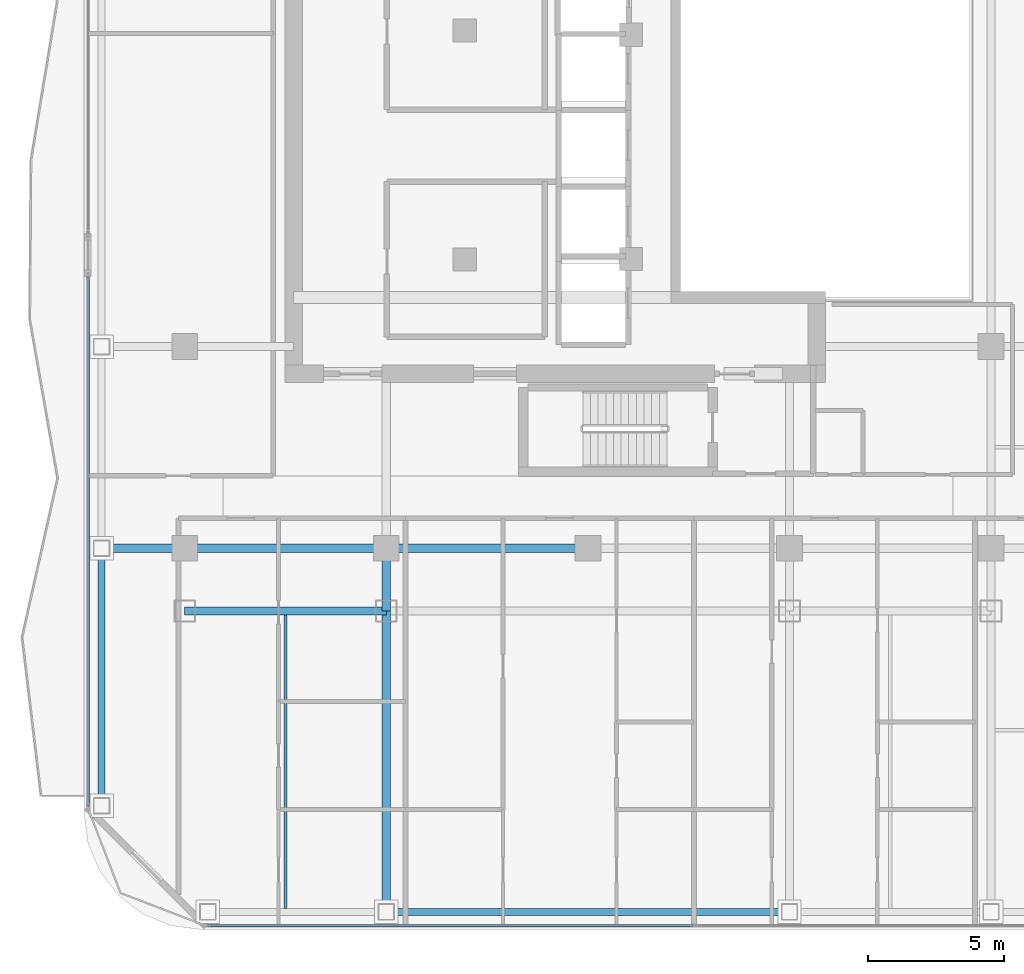
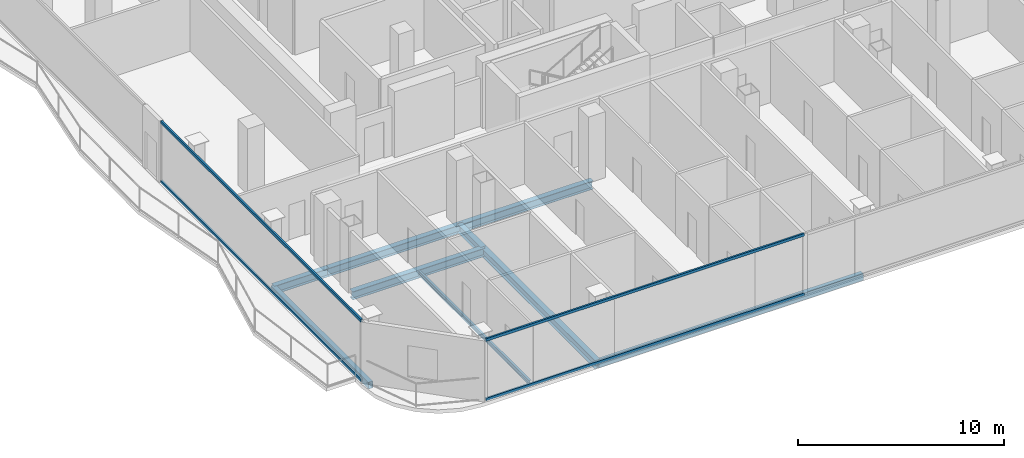
# One storey, part 3 of 26: 9 beams, 4 members, 2 elements without a shape of their own.
"""IFC4 building model written with IfcOpenShell, lengths in metres."""

from ifc_helpers import new_model, si_unit, direction, frame, origin, origin_2d, place, context, subcontext, project, spatial, hollow_rectangle, i_section, extrude, material, layer, layer_set, material_profile, profile_set, type_object, element, aggregate, save


model = new_model("IFC4")

# Units and contexts
model_context = context("Model", 3, precision=1e-05, world=origin(), true_north=direction((0.0, 1.0)))
body_context = subcontext(model_context, "Body", "Model", "MODEL_VIEW")
ifc_project = project(units=[si_unit("LENGTHUNIT", "METRE"), si_unit("AREAUNIT", "SQUARE_METRE"), si_unit("VOLUMEUNIT", "CUBIC_METRE"), si_unit("PLANEANGLEUNIT", "RADIAN"), si_unit("MASSUNIT", "GRAM", prefix="KILO")], contexts=[model_context])

# Site, building, storey
site_placement = place(None, origin())
site = spatial("IfcSite", under=ifc_project, at=site_placement, CompositionType="ELEMENT")
building_placement = place(site_placement, origin())
building = spatial("IfcBuilding", under=site, at=building_placement, Name="Khorvyn Point Tower", CompositionType="ELEMENT")
storey_placement = place(building_placement, frame((0.0, 0.0, 250.800048828125)))
storey = spatial("IfcBuildingStorey", under=building, at=storey_placement, Name="L61", CompositionType="ELEMENT", Elevation=250.800048828125)

# Curtain wall, members
ifc_material_1 = material(Name="Anodised aluminium 6063-T6 and laminated Low-E glass", Category="aluminium")
ifc_layer = layer(ifc_material_1, 0.18994140625)
ifc_layer_set = layer_set([ifc_layer], Name="Stick-Built Acoustic Curtain Wall CW-SYS-03")
curtain_wall_type = type_object("IfcCurtainWallType", Name="Stick-Built Acoustic Curtain Wall CW-SYS-03", PredefinedType="NOTDEFINED", material=ifc_layer_set)
curtain_wall_1_placement = place(storey_placement, origin())
curtain_wall_1 = element("IfcCurtainWall", 1, at=curtain_wall_1_placement, inside=storey, type_object=curtain_wall_type, Name="Curtain Wall", PredefinedType="NOTDEFINED")
ifc_material_2 = material(Name="Anodised aluminium 6063-T6", Category="aluminium")
ifc_material_profile_1 = material_profile(ifc_material_2, hollow_rectangle(XDim=0.10009765625, YDim=0.159912109375, WallThickness=0.00439453125, at=origin_2d()))
ifc_profile_set_1 = profile_set([ifc_material_profile_1], Name="Anodised aluminium 6063-T6 ALU-TRN-100x160")
member_type = type_object("IfcMemberType", Name="Anodised Aluminium 6063-T6 Transom ALU-TRN-100x160", PredefinedType="USERDEFINED", material=ifc_profile_set_1)
member_1_placement = place(storey_placement, frame((3.85009765625, -28.64990234375, 0.050048828125), z_axis=(-1.0, 0.0, 0.0), x_axis=(0.0, -1.0, 0.0)))
member_1 = element("IfcMember", 2, at=member_1_placement, type_object=member_type, Name="Transom", ObjectType="TRANSOM", PredefinedType="USERDEFINED", context=body_context, shape_type="SweptSolid", body=[
    extrude(hollow_rectangle(XDim=0.10009765625, YDim=0.159912109375, WallThickness=0.00439453125, at=origin_2d()), origin(), (0.0, 0.0, 1.0), 17.800048828125),
])
member_2_placement = place(storey_placement, frame((3.85009765625, -28.64990234375, 3.570068359375), z_axis=(-1.0, 0.0, 0.0), x_axis=(0.0, -1.0, 0.0)))
member_2 = element("IfcMember", 3, at=member_2_placement, type_object=member_type, Name="Transom", ObjectType="TRANSOM", PredefinedType="USERDEFINED", context=body_context, shape_type="SweptSolid", body=[
    extrude(hollow_rectangle(XDim=0.10009765625, YDim=0.159912109375, WallThickness=0.00439453125, at=origin_2d()), origin(), (0.0, 0.0, 1.0), 17.800048828125),
])
aggregate(curtain_wall_1, [member_1, member_2])

curtain_wall_2_placement = place(storey_placement, origin())
curtain_wall_2 = element("IfcCurtainWall", 4, at=curtain_wall_2_placement, inside=storey, type_object=curtain_wall_type, Name="Curtain Wall", PredefinedType="NOTDEFINED")
member_3_placement = place(storey_placement, frame((-18.35009765625, -24.25, 0.050048828125), z_axis=(0.0, 1.0, 0.0), x_axis=(-1.0, 0.0, 0.0)))
member_3 = element("IfcMember", 5, at=member_3_placement, type_object=member_type, Name="Transom", ObjectType="TRANSOM", PredefinedType="USERDEFINED", context=body_context, shape_type="SweptSolid", body=[
    extrude(hollow_rectangle(XDim=0.10009765625, YDim=0.159912109375, WallThickness=0.00439453125, at=origin_2d()), origin(), (0.0, 0.0, 1.0), 19.39990234375),
])
member_4_placement = place(storey_placement, frame((-18.35009765625, -24.25, 3.570068359375), z_axis=(0.0, 1.0, 0.0), x_axis=(-1.0, 0.0, 0.0)))
member_4 = element("IfcMember", 6, at=member_4_placement, type_object=member_type, Name="Transom", ObjectType="TRANSOM", PredefinedType="USERDEFINED", context=body_context, shape_type="SweptSolid", body=[
    extrude(hollow_rectangle(XDim=0.10009765625, YDim=0.159912109375, WallThickness=0.00439453125, at=origin_2d()), origin(), (0.0, 0.0, 1.0), 19.39990234375),
])
aggregate(curtain_wall_2, [member_3, member_4])

# Beams
ifc_material_3 = material(Name="Steel S355", Category="steel")
ifc_material_profile_2 = material_profile(ifc_material_3, i_section(OverallWidth=0.125, OverallDepth=0.25, WebThickness=0.006103515625, FlangeThickness=0.009033203125, at=origin_2d()))
ifc_profile_set_2 = profile_set([ifc_material_profile_2], Name="Steel S355 H250x125x6x9")
beam_type_1 = type_object("IfcBeamType", Name="Steel S355 Joist H250x125x6x9", PredefinedType="JOIST", material=ifc_profile_set_2)
beam_1_placement = place(storey_placement, frame((-11.10009765625, -28.02490234375, -0.344970703125), z_axis=(0.0, 1.0, 0.0), x_axis=(-1.0, 0.0, 0.0)))
element("IfcBeam", 7, at=beam_1_placement, inside=storey, type_object=beam_type_1, Name="Beam", PredefinedType="JOIST", context=body_context, shape_type="SweptSolid", body=[
    extrude(i_section(OverallWidth=0.125, OverallDepth=0.25, WebThickness=0.006103515625, FlangeThickness=0.009033203125, at=origin_2d()), origin(), (0.0, 0.0, 1.0), 10.77490234375),
])
ifc_material_profile_3 = material_profile(ifc_material_3, i_section(OverallWidth=0.300048828125, OverallDepth=0.488037109375, WebThickness=0.010986328125, FlangeThickness=0.01806640625, at=origin_2d()))
ifc_profile_set_3 = profile_set([ifc_material_profile_3], Name="Steel S355 H488x300x11x18")
beam_type_2 = type_object("IfcBeamType", Name="Steel S355 Spandrel H488x300x11x18", PredefinedType="SPANDREL", material=ifc_profile_set_3)
beam_2_placement = place(storey_placement, frame((-17.85009765625, -14.800048828125, -0.464111328125), z_axis=(1.0, 0.0, 0.0), x_axis=(0.0, 1.0, 0.0)))
element("IfcBeam", 8, at=beam_2_placement, inside=storey, type_object=beam_type_2, Name="Beam", PredefinedType="SPANDREL", context=body_context, shape_type="SweptSolid", body=[
    extrude(i_section(OverallWidth=0.300048828125, OverallDepth=0.488037109375, WebThickness=0.010986328125, FlangeThickness=0.01806640625, at=origin_2d()), origin(), (0.0, 0.0, 1.0), 3.050048828125),
])
beam_3_placement = place(storey_placement, frame((-14.800048828125, -14.800048828125, -0.464111328125), z_axis=(1.0, 0.0, 0.0), x_axis=(0.0, 1.0, 0.0)))
element("IfcBeam", 9, at=beam_3_placement, inside=storey, type_object=beam_type_2, Name="Beam", PredefinedType="SPANDREL", context=body_context, shape_type="SweptSolid", body=[
    extrude(i_section(OverallWidth=0.300048828125, OverallDepth=0.488037109375, WebThickness=0.010986328125, FlangeThickness=0.01806640625, at=origin_2d()), origin(), (0.0, 0.0, 1.0), 7.400146484375),
])
beam_4_placement = place(storey_placement, frame((-7.39990234375, -14.800048828125, -0.464111328125), z_axis=(1.0, 0.0, 0.0), x_axis=(0.0, 1.0, 0.0)))
element("IfcBeam", 10, at=beam_4_placement, inside=storey, type_object=beam_type_2, Name="Beam", PredefinedType="SPANDREL", context=body_context, shape_type="SweptSolid", body=[
    extrude(i_section(OverallWidth=0.300048828125, OverallDepth=0.488037109375, WebThickness=0.010986328125, FlangeThickness=0.01806640625, at=origin_2d()), origin(), (0.0, 0.0, 1.0), 7.39990234375),
])
beam_5_placement = place(storey_placement, frame((-14.800048828125, -17.10009765625, -0.464111328125), z_axis=(1.0, 0.0, 0.0), x_axis=(0.0, 1.0, 0.0)))
element("IfcBeam", 11, at=beam_5_placement, inside=storey, type_object=beam_type_2, Name="Beam", PredefinedType="SPANDREL", context=body_context, shape_type="SweptSolid", body=[
    extrude(i_section(OverallWidth=0.300048828125, OverallDepth=0.488037109375, WebThickness=0.010986328125, FlangeThickness=0.01806640625, at=origin_2d()), origin(), (0.0, 0.0, 1.0), 7.400146484375),
])
beam_6_placement = place(storey_placement, frame((-7.39990234375, -28.14990234375, -0.464111328125), z_axis=(0.0, 1.0, 0.0), x_axis=(-1.0, 0.0, 0.0)))
element("IfcBeam", 12, at=beam_6_placement, inside=storey, type_object=beam_type_2, Name="Beam", PredefinedType="SPANDREL", context=body_context, shape_type="SweptSolid", body=[
    extrude(i_section(OverallWidth=0.300048828125, OverallDepth=0.488037109375, WebThickness=0.010986328125, FlangeThickness=0.01806640625, at=origin_2d()), origin(), (0.0, 0.0, 1.0), 11.0498046875),
])
beam_7_placement = place(storey_placement, frame((-7.39990234375, -17.10009765625, -0.464111328125), z_axis=(0.0, 1.0, 0.0), x_axis=(-1.0, 0.0, 0.0)))
element("IfcBeam", 13, at=beam_7_placement, inside=storey, type_object=beam_type_2, Name="Beam", PredefinedType="SPANDREL", context=body_context, shape_type="SweptSolid", body=[
    extrude(i_section(OverallWidth=0.300048828125, OverallDepth=0.488037109375, WebThickness=0.010986328125, FlangeThickness=0.01806640625, at=origin_2d()), origin(), (0.0, 0.0, 1.0), 2.300048828125),
])
ifc_material_profile_4 = material_profile(ifc_material_3, hollow_rectangle(XDim=0.25, YDim=0.39990234375, WallThickness=0.01611328125, at=origin_2d()))
ifc_profile_set_4 = profile_set([ifc_material_profile_4], Name="Steel S355 RHS400x250x16")
beam_type_3 = type_object("IfcBeamType", Name="Steel S355 Spandrel RHS400x250x16", PredefinedType="SPANDREL", material=ifc_profile_set_4)
beam_8_placement = place(storey_placement, frame((-7.39990234375, -28.14990234375, -0.420166015625), z_axis=(1.0, 0.0, 0.0), x_axis=(0.0, 1.0, 0.0)))
element("IfcBeam", 14, at=beam_8_placement, inside=storey, type_object=beam_type_3, Name="Beam", PredefinedType="SPANDREL", context=body_context, shape_type="SweptSolid", body=[
    extrude(hollow_rectangle(XDim=0.25, YDim=0.39990234375, WallThickness=0.01611328125, at=origin_2d()), origin(), (0.0, 0.0, 1.0), 14.7998046875),
])
beam_9_placement = place(storey_placement, frame((-17.85009765625, -24.25, -0.420166015625), z_axis=(0.0, 1.0, 0.0), x_axis=(-1.0, 0.0, 0.0)))
element("IfcBeam", 15, at=beam_9_placement, inside=storey, type_object=beam_type_3, Name="Beam", PredefinedType="SPANDREL", context=body_context, shape_type="SweptSolid", body=[
    extrude(hollow_rectangle(XDim=0.25, YDim=0.39990234375, WallThickness=0.01611328125, at=origin_2d()), origin(), (0.0, 0.0, 1.0), 9.449951171875),
])

save(model, "model.ifc")
